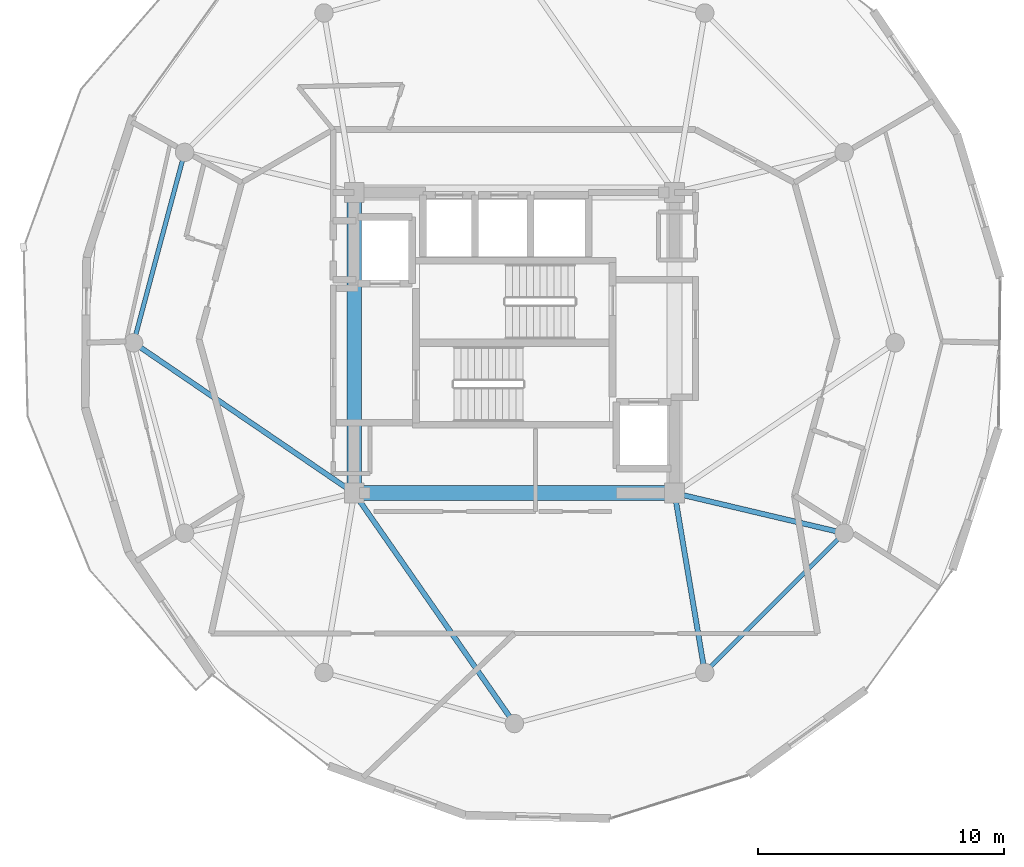
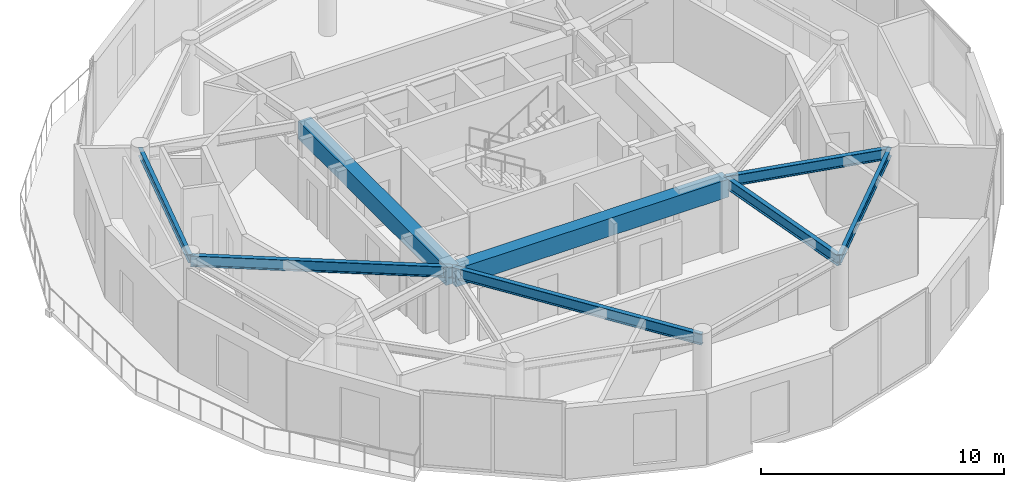
# One storey, part 6 of 19: 8 beams.
"""IFC4 building model written with IfcOpenShell, lengths in metres."""

from ifc_helpers import new_model, si_unit, direction, frame, origin, origin_2d, place, context, subcontext, project, spatial, rectangle, i_section, extrude, material, material_profile, profile_set, type_object, element, save


model = new_model("IFC4")

# Units and contexts
model_context = context("Model", 3, precision=1e-05, world=origin(), true_north=direction((0.0, 1.0)))
body_context = subcontext(model_context, "Body", "Model", "MODEL_VIEW")
ifc_project = project(units=[si_unit("LENGTHUNIT", "METRE"), si_unit("AREAUNIT", "SQUARE_METRE"), si_unit("VOLUMEUNIT", "CUBIC_METRE"), si_unit("PLANEANGLEUNIT", "RADIAN"), si_unit("MASSUNIT", "GRAM", prefix="KILO")], contexts=[model_context])

# Site, building, storey
site_placement = place(None, origin())
site = spatial("IfcSite", under=ifc_project, at=site_placement, CompositionType="ELEMENT")
building_placement = place(site_placement, origin())
building = spatial("IfcBuilding", under=site, at=building_placement, Name="Solvirekh Grand Hotel", CompositionType="ELEMENT")
storey_placement = place(building_placement, frame((0.0, 0.0, 254.39990234375)))
storey = spatial("IfcBuildingStorey", under=building, at=storey_placement, Name="L66", CompositionType="ELEMENT", Elevation=254.39990234375)

# Beams
ifc_material_1 = material(Name="Concrete C50/60", Category="concrete")
ifc_material_profile_1 = material_profile(ifc_material_1, rectangle(XDim=0.60009765625, YDim=0.89990234375, at=origin_2d()), Name="RC BEAM 600X900")
ifc_profile_set_1 = profile_set([ifc_material_profile_1], Name="Concrete C50/60")
beam_type_1 = type_object("IfcBeamType", Name="Beam_Core_RC900", PredefinedType="BEAM", material=ifc_profile_set_1)
beam_1_placement = place(storey_placement, frame((-6.5, -6.10009765625, 3.1201171875), z_axis=(1.0, 0.0, 0.0), x_axis=(0.0, 1.0, 0.0)))
element("IfcBeam", 1, at=beam_1_placement, inside=storey, type_object=beam_type_1, Name="L66 core coupling ring beam 1", PredefinedType="BEAM", context=body_context, shape_type="SweptSolid", body=[
    extrude(rectangle(XDim=0.60009765625, YDim=0.89990234375, at=origin_2d()), origin(), (0.0, 0.0, 1.0), 13.0),
])
beam_2_placement = place(storey_placement, frame((-6.5, 6.10009765625, 3.1201171875), z_axis=(0.0, -1.0, 0.0), x_axis=(1.0, 0.0, 0.0)))
element("IfcBeam", 2, at=beam_2_placement, inside=storey, type_object=beam_type_1, Name="L66 core coupling ring beam 4", PredefinedType="BEAM", context=body_context, shape_type="SweptSolid", body=[
    extrude(rectangle(XDim=0.60009765625, YDim=0.89990234375, at=origin_2d()), origin(), (0.0, 0.0, 1.0), 12.2001953125),
])
ifc_material_2 = material(Name="Steel S355", Category="steel")
ifc_material_profile_2 = material_profile(ifc_material_2, i_section(OverallWidth=0.2119140625, OverallDepth=0.5439453125, WebThickness=0.011962890625, FlangeThickness=0.01904296875, FilletRadius=0.013916015625, at=origin_2d()), Name="W530X123")
ifc_profile_set_2 = profile_set([ifc_material_profile_2], Name="Steel S355")
beam_type_2 = type_object("IfcBeamType", Name="Beam_Radial_W530H", PredefinedType="BEAM", material=ifc_profile_set_2)
beam_3_placement = place(storey_placement, frame((-6.5, -6.10009765625, 3.298095703125), z_axis=(-0.826319370306, 0.563201827285, 0.0), x_axis=(-0.563201827285, -0.826319370306, 0.0)))
element("IfcBeam", 3, at=beam_3_placement, inside=storey, type_object=beam_type_2, Name="L66 radial floor beam R07", PredefinedType="BEAM", context=body_context, shape_type="SweptSolid", body=[
    extrude(i_section(OverallWidth=0.2119140625, OverallDepth=0.5439453125, WebThickness=0.011962890625, FlangeThickness=0.01904296875, FilletRadius=0.013916015625, at=origin_2d()), origin(), (0.0, 0.0, 1.0), 10.8310546875),
])
beam_4_placement = place(storey_placement, frame((-6.5, -6.10009765625, 3.298095703125), z_axis=(0.570813192472, -0.821079959139, 0.0), x_axis=(0.821079959139, 0.570813192472, 0.0)))
element("IfcBeam", 4, at=beam_4_placement, inside=storey, type_object=beam_type_2, Name="L66 radial floor beam R10", PredefinedType="BEAM", context=body_context, shape_type="SweptSolid", body=[
    extrude(i_section(OverallWidth=0.2119140625, OverallDepth=0.5439453125, WebThickness=0.011962890625, FlangeThickness=0.01904296875, FilletRadius=0.013916015625, at=origin_2d()), origin(), (0.0, 0.0, 1.0), 11.38720703125),
])
beam_5_placement = place(storey_placement, frame((6.5, -6.10009765625, 3.298095703125), z_axis=(0.165954049106, -0.986133486697, 0.0), x_axis=(0.986133486697, 0.165954049106, 0.0)))
element("IfcBeam", 5, at=beam_5_placement, inside=storey, type_object=beam_type_2, Name="L66 radial floor beam R11", PredefinedType="BEAM", context=body_context, shape_type="SweptSolid", body=[
    extrude(i_section(OverallWidth=0.2119140625, OverallDepth=0.5439453125, WebThickness=0.011962890625, FlangeThickness=0.01904296875, FilletRadius=0.013916015625, at=origin_2d()), origin(), (0.0, 0.0, 1.0), 7.382080078125),
])
beam_6_placement = place(storey_placement, frame((6.5, -6.10009765625, 3.298095703125), z_axis=(0.973221147544, -0.229870828888, 0.0), x_axis=(0.229870828888, 0.973221147544, 0.0)))
element("IfcBeam", 6, at=beam_6_placement, inside=storey, type_object=beam_type_2, Name="L66 radial floor beam R12", PredefinedType="BEAM", context=body_context, shape_type="SweptSolid", body=[
    extrude(i_section(OverallWidth=0.2119140625, OverallDepth=0.5439453125, WebThickness=0.011962890625, FlangeThickness=0.01904296875, FilletRadius=0.013916015625, at=origin_2d()), origin(), (0.0, 0.0, 1.0), 7.069091796875),
])
ifc_material_profile_3 = material_profile(ifc_material_2, i_section(OverallWidth=0.180908203125, OverallDepth=0.4169921875, WebThickness=0.010009765625, FlangeThickness=0.01611328125, FilletRadius=0.011962890625, at=origin_2d()), Name="W410X85")
ifc_profile_set_3 = profile_set([ifc_material_profile_3], Name="Steel S355")
beam_type_3 = type_object("IfcBeamType", Name="Spandrel_Ring_W410", PredefinedType="SPANDREL", material=ifc_profile_set_3)
beam_7_placement = place(storey_placement, frame((-13.3798828125, 7.72509765625, 3.362060546875), z_axis=(-0.258834757072, -0.965921616143, 0.0), x_axis=(0.965921616143, -0.258834757072, 0.0)))
element("IfcBeam", 7, at=beam_7_placement, inside=storey, type_object=beam_type_3, Name="L66 perimeter spandrel beam 6", PredefinedType="SPANDREL", context=body_context, shape_type="SweptSolid", body=[
    extrude(i_section(OverallWidth=0.180908203125, OverallDepth=0.4169921875, WebThickness=0.010009765625, FlangeThickness=0.01611328125, FilletRadius=0.011962890625, at=origin_2d()), origin(), (0.0, 0.0, 1.0), 7.99755859375),
])
beam_8_placement = place(storey_placement, frame((7.72509765625, -13.3798828125, 3.362060546875), z_axis=(0.707106781187, 0.707106781187, 0.0), x_axis=(-0.707106781187, 0.707106781187, 0.0)))
element("IfcBeam", 8, at=beam_8_placement, inside=storey, type_object=beam_type_3, Name="L66 perimeter spandrel beam 11", PredefinedType="SPANDREL", context=body_context, shape_type="SweptSolid", body=[
    extrude(i_section(OverallWidth=0.180908203125, OverallDepth=0.4169921875, WebThickness=0.010009765625, FlangeThickness=0.01611328125, FilletRadius=0.011962890625, at=origin_2d()), origin(), (0.0, 0.0, 1.0), 7.9970703125),
])

save(model, "model.ifc")
